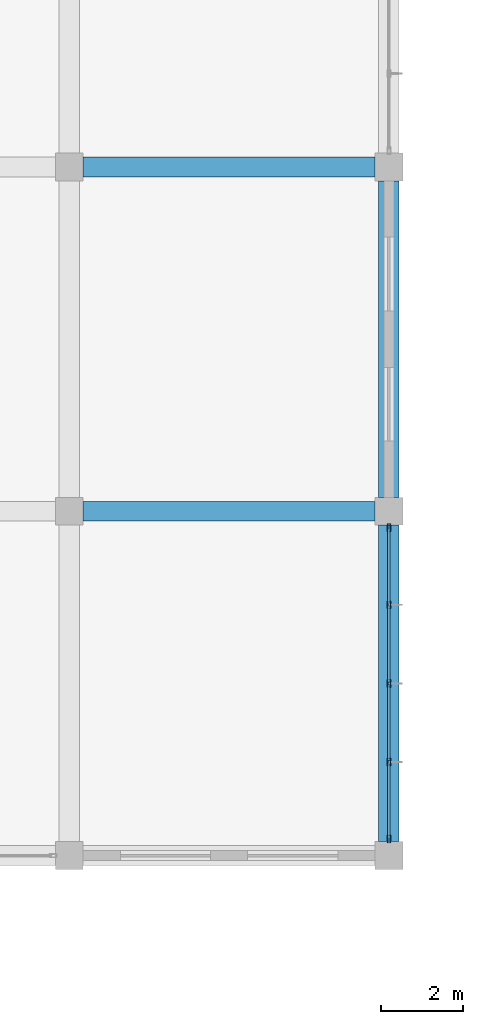
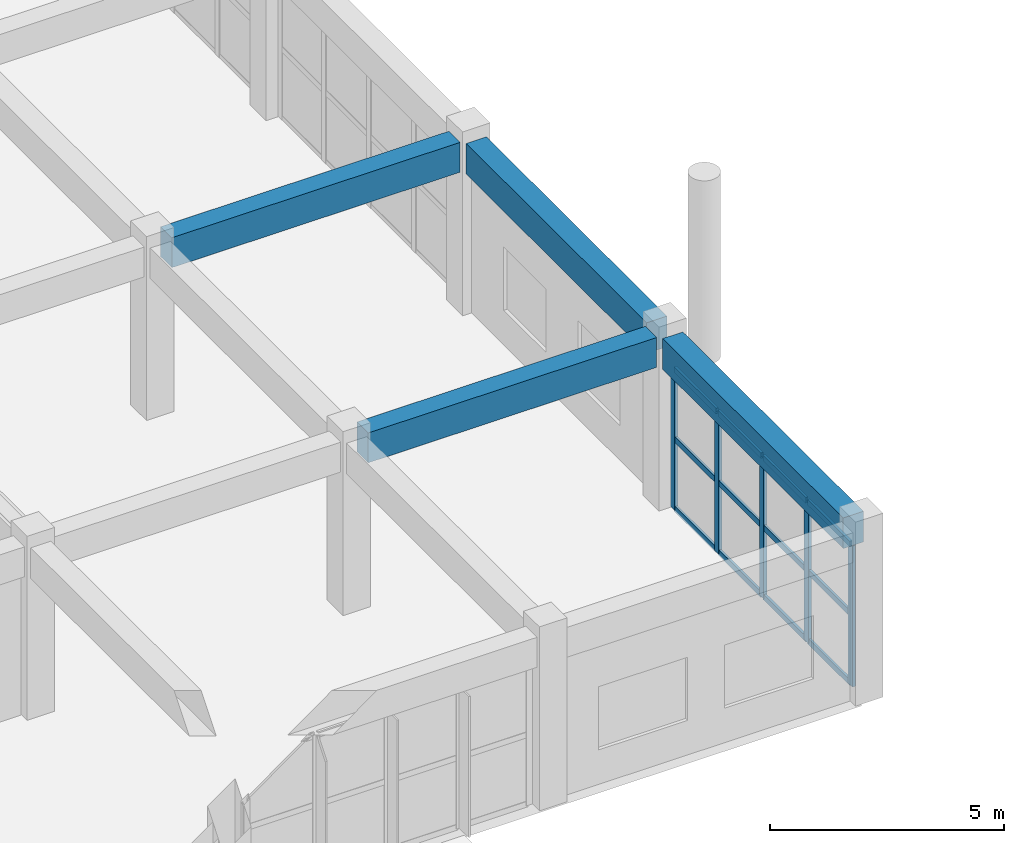
# One storey, part 97 of 175: 17 members, 4 beams, 1 element without a shape of its own.
"""IFC4 building model written with IfcOpenShell, lengths in metres."""

from ifc_helpers import new_model, si_unit, direction, frame, origin, origin_2d, place, context, subcontext, project, spatial, rectangle, hollow_rectangle, extrude, material, layer, layer_set, material_profile, profile_set, type_object, element, aggregate, save


model = new_model("IFC4")

# Units and contexts
model_context = context("Model", 3, precision=1e-05, world=origin(), true_north=direction((0.0, 1.0)))
body_context = subcontext(model_context, "Body", "Model", "MODEL_VIEW")
ifc_project = project(units=[si_unit("LENGTHUNIT", "METRE"), si_unit("AREAUNIT", "SQUARE_METRE"), si_unit("VOLUMEUNIT", "CUBIC_METRE"), si_unit("PLANEANGLEUNIT", "RADIAN"), si_unit("MASSUNIT", "GRAM", prefix="KILO")], contexts=[model_context])

# Site, building, storey
site_placement = place(None, origin())
site = spatial("IfcSite", under=ifc_project, at=site_placement, CompositionType="ELEMENT")
building_placement = place(site_placement, origin())
building = spatial("IfcBuilding", under=site, at=building_placement, Name="Zizhar Promenade General Hospital", CompositionType="ELEMENT")
storey_placement = place(building_placement, frame((0.0, 0.0, 4.800048828125)))
storey = spatial("IfcBuildingStorey", under=building, at=storey_placement, Name="L01", CompositionType="ELEMENT", Elevation=4.800048828125)

# Beams
ifc_material_1 = material(Name="Concrete C35/45", Category="concrete")
ifc_material_profile_1 = material_profile(ifc_material_1, rectangle(XDim=0.47998046875, YDim=0.780029296875, at=origin_2d()))
ifc_profile_set_1 = profile_set([ifc_material_profile_1], Name="Concrete C35/45")
beam_type_1 = type_object("IfcBeamType", Name="BM-RC-480x780", PredefinedType="BEAM", material=ifc_profile_set_1)
for number, where, z_axis, x_axis, name in (
    (1, (187.5400390625, 50.39990234375, 4.079833984375), (1.0, 0.0, 0.0), (0.0, 1.0, 0.0), "Grid Beam X L01 (24-6)"),
    (2, (187.5400390625, 58.800048828125, 4.079833984375), (1.0, 0.0, 0.0), (0.0, 1.0, 0.0), "Grid Beam X L01 (24-7)"),
):
    element("IfcBeam", number, at=place(storey_placement, frame(where, z_axis=z_axis, x_axis=x_axis)), inside=storey, type_object=beam_type_1, Name=name, PredefinedType="BEAM", context=body_context, shape_type="SweptSolid", body=[
        extrude(rectangle(XDim=0.47998046875, YDim=0.780029296875, at=origin_2d()), origin(), (0.0, 0.0, 1.0), 7.119873046875),
    ])
ifc_material_2 = material(Name="Concrete C35/45", Category="concrete")
ifc_material_profile_2 = material_profile(ifc_material_2, rectangle(XDim=0.5, YDim=0.800048828125, at=origin_2d()))
ifc_profile_set_2 = profile_set([ifc_material_profile_2], Name="Concrete C35/45")
beam_type_2 = type_object("IfcBeamType", Name="BM-RC-500x800", PredefinedType="BEAM", material=ifc_profile_set_2)
for number, where, z_axis, x_axis, name in (
    (3, (195.0, 42.340087890625, 4.070068359375), (0.0, 1.0, 0.0), (-1.0, 0.0, 0.0), "Grid Beam Y L01 (25-5)"),
    (4, (195.0, 50.739990234375, 4.070068359375), (0.0, 1.0, 0.0), (-1.0, 0.0, 0.0), "Grid Beam Y L01 (25-6)"),
):
    element("IfcBeam", number, at=place(storey_placement, frame(where, z_axis=z_axis, x_axis=x_axis)), inside=storey, type_object=beam_type_2, Name=name, PredefinedType="BEAM", context=body_context, shape_type="SweptSolid", body=[
        extrude(rectangle(XDim=0.5, YDim=0.800048828125, at=origin_2d()), origin(), (0.0, 0.0, 1.0), 7.719970703125),
    ])

# Curtain wall, members
ifc_material_3 = material(Name="Anodised aluminium 6063-T6 and low-E glass", Category="aluminium")
ifc_layer = layer(ifc_material_3, 0.159912109375)
ifc_layer_set = layer_set([ifc_layer], Name="Anodised aluminium 6063-T6 and low-E glass")
curtain_wall_type = type_object("IfcCurtainWallType", Name="CW-CLN-EXT", PredefinedType="NOTDEFINED", material=ifc_layer_set)
curtain_wall_placement = place(storey_placement, origin())
curtain_wall = element("IfcCurtainWall", 5, at=curtain_wall_placement, inside=storey, type_object=curtain_wall_type, Name="Outpatient East Curtain Wall L01-5", PredefinedType="NOTDEFINED")
ifc_material_4 = material(Name="Anodised aluminium 6063-T6", Category="aluminium")
ifc_material_profile_3 = material_profile(ifc_material_4, hollow_rectangle(XDim=0.080078125, YDim=0.179931640625, WallThickness=0.0048828125, at=origin_2d()))
ifc_profile_set_3 = profile_set([ifc_material_profile_3], Name="Anodised aluminium 6063-T6")
member_type_1 = type_object("IfcMemberType", Name="CWM-ALU-180x80", PredefinedType="MULLION", material=ifc_profile_set_3)
member_1_placement = place(storey_placement, frame((195.0, 50.0, 0.0), z_axis=(0.0, 0.0, 1.0), x_axis=(1.0, 0.0, 0.0)))
member_1 = element("IfcMember", 6, at=member_1_placement, type_object=member_type_1, Name="CW-09 mullion 1", PredefinedType="MULLION", context=body_context, shape_type="SweptSolid", body=[
    extrude(hollow_rectangle(XDim=0.080078125, YDim=0.179931640625, WallThickness=0.0048828125, at=origin_2d()), origin(), (0.0, 0.0, 1.0), 3.679931640625),
])
member_2_placement = place(storey_placement, frame((195.0, 48.1201171875, 0.0), z_axis=(0.0, 0.0, 1.0), x_axis=(1.0, 0.0, 0.0)))
member_2 = element("IfcMember", 7, at=member_2_placement, type_object=member_type_1, Name="CW-09 mullion 2", PredefinedType="MULLION", context=body_context, shape_type="SweptSolid", body=[
    extrude(hollow_rectangle(XDim=0.080078125, YDim=0.179931640625, WallThickness=0.0048828125, at=origin_2d()), origin(), (0.0, 0.0, 1.0), 3.679931640625),
])
member_3_placement = place(storey_placement, frame((195.0, 46.199951171875, 0.0), z_axis=(0.0, 0.0, 1.0), x_axis=(1.0, 0.0, 0.0)))
member_3 = element("IfcMember", 8, at=member_3_placement, type_object=member_type_1, Name="CW-09 mullion 3", PredefinedType="MULLION", context=body_context, shape_type="SweptSolid", body=[
    extrude(hollow_rectangle(XDim=0.080078125, YDim=0.179931640625, WallThickness=0.0048828125, at=origin_2d()), origin(), (0.0, 0.0, 1.0), 3.679931640625),
])
member_4_placement = place(storey_placement, frame((195.0, 44.280029296875, 0.0), z_axis=(0.0, 0.0, 1.0), x_axis=(1.0, 0.0, 0.0)))
member_4 = element("IfcMember", 9, at=member_4_placement, type_object=member_type_1, Name="CW-09 mullion 4", PredefinedType="MULLION", context=body_context, shape_type="SweptSolid", body=[
    extrude(hollow_rectangle(XDim=0.080078125, YDim=0.179931640625, WallThickness=0.0048828125, at=origin_2d()), origin(), (0.0, 0.0, 1.0), 3.679931640625),
])
member_5_placement = place(storey_placement, frame((195.0, 42.39990234375, 0.0), z_axis=(0.0, 0.0, 1.0), x_axis=(1.0, 0.0, 0.0)))
member_5 = element("IfcMember", 10, at=member_5_placement, type_object=member_type_1, Name="CW-09 mullion 5", PredefinedType="MULLION", context=body_context, shape_type="SweptSolid", body=[
    extrude(hollow_rectangle(XDim=0.080078125, YDim=0.179931640625, WallThickness=0.0048828125, at=origin_2d()), origin(), (0.0, 0.0, 1.0), 3.679931640625),
])
ifc_material_5 = material(Name="Anodised aluminium 6063-T6", Category="aluminium")
ifc_material_profile_4 = material_profile(ifc_material_5, hollow_rectangle(XDim=0.06005859375, YDim=0.14990234375, WallThickness=0.00390625, at=origin_2d()))
ifc_profile_set_4 = profile_set([ifc_material_profile_4], Name="Anodised aluminium 6063-T6")
member_type_2 = type_object("IfcMemberType", Name="CWT-ALU-150x60", PredefinedType="USERDEFINED", material=ifc_profile_set_4)
member_6_placement = place(storey_placement, frame((195.0, 49.9599609375, 0.030029296875), z_axis=(0.0, -1.0, 0.0), x_axis=(1.0, 0.0, 0.0)))
member_6 = element("IfcMember", 11, at=member_6_placement, type_object=member_type_2, Name="CW-09 transom 1.1", ObjectType="TRANSOM", PredefinedType="USERDEFINED", context=body_context, shape_type="SweptSolid", body=[
    extrude(hollow_rectangle(XDim=0.06005859375, YDim=0.14990234375, WallThickness=0.00390625, at=origin_2d()), origin(), (0.0, 0.0, 1.0), 1.800048828125),
])
member_7_placement = place(storey_placement, frame((195.0, 49.9599609375, 1.83984375), z_axis=(0.0, -1.0, 0.0), x_axis=(1.0, 0.0, 0.0)))
member_7 = element("IfcMember", 12, at=member_7_placement, type_object=member_type_2, Name="CW-09 transom 1.2", ObjectType="TRANSOM", PredefinedType="USERDEFINED", context=body_context, shape_type="SweptSolid", body=[
    extrude(hollow_rectangle(XDim=0.06005859375, YDim=0.14990234375, WallThickness=0.00390625, at=origin_2d()), origin(), (0.0, 0.0, 1.0), 1.800048828125),
])
member_8_placement = place(storey_placement, frame((195.0, 49.9599609375, 3.64990234375), z_axis=(0.0, -1.0, 0.0), x_axis=(1.0, 0.0, 0.0)))
member_8 = element("IfcMember", 13, at=member_8_placement, type_object=member_type_2, Name="CW-09 transom 1.3", ObjectType="TRANSOM", PredefinedType="USERDEFINED", context=body_context, shape_type="SweptSolid", body=[
    extrude(hollow_rectangle(XDim=0.06005859375, YDim=0.14990234375, WallThickness=0.00390625, at=origin_2d()), origin(), (0.0, 0.0, 1.0), 1.800048828125),
])
member_9_placement = place(storey_placement, frame((195.0, 48.080078125, 0.030029296875), z_axis=(0.0, -1.0, 0.0), x_axis=(1.0, 0.0, 0.0)))
member_9 = element("IfcMember", 14, at=member_9_placement, type_object=member_type_2, Name="CW-09 transom 2.1", ObjectType="TRANSOM", PredefinedType="USERDEFINED", context=body_context, shape_type="SweptSolid", body=[
    extrude(hollow_rectangle(XDim=0.06005859375, YDim=0.14990234375, WallThickness=0.00390625, at=origin_2d()), origin(), (0.0, 0.0, 1.0), 1.840087890625),
])
member_10_placement = place(storey_placement, frame((195.0, 48.080078125, 1.83984375), z_axis=(0.0, -1.0, 0.0), x_axis=(1.0, 0.0, 0.0)))
member_10 = element("IfcMember", 15, at=member_10_placement, type_object=member_type_2, Name="CW-09 transom 2.2", ObjectType="TRANSOM", PredefinedType="USERDEFINED", context=body_context, shape_type="SweptSolid", body=[
    extrude(hollow_rectangle(XDim=0.06005859375, YDim=0.14990234375, WallThickness=0.00390625, at=origin_2d()), origin(), (0.0, 0.0, 1.0), 1.840087890625),
])
member_11_placement = place(storey_placement, frame((195.0, 48.080078125, 3.64990234375), z_axis=(0.0, -1.0, 0.0), x_axis=(1.0, 0.0, 0.0)))
member_11 = element("IfcMember", 16, at=member_11_placement, type_object=member_type_2, Name="CW-09 transom 2.3", ObjectType="TRANSOM", PredefinedType="USERDEFINED", context=body_context, shape_type="SweptSolid", body=[
    extrude(hollow_rectangle(XDim=0.06005859375, YDim=0.14990234375, WallThickness=0.00390625, at=origin_2d()), origin(), (0.0, 0.0, 1.0), 1.840087890625),
])
member_12_placement = place(storey_placement, frame((195.0, 46.159912109375, 0.030029296875), z_axis=(0.0, -1.0, 0.0), x_axis=(1.0, 0.0, 0.0)))
member_12 = element("IfcMember", 17, at=member_12_placement, type_object=member_type_2, Name="CW-09 transom 3.1", ObjectType="TRANSOM", PredefinedType="USERDEFINED", context=body_context, shape_type="SweptSolid", body=[
    extrude(hollow_rectangle(XDim=0.06005859375, YDim=0.14990234375, WallThickness=0.00390625, at=origin_2d()), origin(), (0.0, 0.0, 1.0), 1.83984375),
])
member_13_placement = place(storey_placement, frame((195.0, 46.159912109375, 1.83984375), z_axis=(0.0, -1.0, 0.0), x_axis=(1.0, 0.0, 0.0)))
member_13 = element("IfcMember", 18, at=member_13_placement, type_object=member_type_2, Name="CW-09 transom 3.2", ObjectType="TRANSOM", PredefinedType="USERDEFINED", context=body_context, shape_type="SweptSolid", body=[
    extrude(hollow_rectangle(XDim=0.06005859375, YDim=0.14990234375, WallThickness=0.00390625, at=origin_2d()), origin(), (0.0, 0.0, 1.0), 1.83984375),
])
member_14_placement = place(storey_placement, frame((195.0, 46.159912109375, 3.64990234375), z_axis=(0.0, -1.0, 0.0), x_axis=(1.0, 0.0, 0.0)))
member_14 = element("IfcMember", 19, at=member_14_placement, type_object=member_type_2, Name="CW-09 transom 3.3", ObjectType="TRANSOM", PredefinedType="USERDEFINED", context=body_context, shape_type="SweptSolid", body=[
    extrude(hollow_rectangle(XDim=0.06005859375, YDim=0.14990234375, WallThickness=0.00390625, at=origin_2d()), origin(), (0.0, 0.0, 1.0), 1.83984375),
])
member_15_placement = place(storey_placement, frame((195.0, 44.239990234375, 0.030029296875), z_axis=(0.0, -1.0, 0.0), x_axis=(1.0, 0.0, 0.0)))
member_15 = element("IfcMember", 20, at=member_15_placement, type_object=member_type_2, Name="CW-09 transom 4.1", ObjectType="TRANSOM", PredefinedType="USERDEFINED", context=body_context, shape_type="SweptSolid", body=[
    extrude(hollow_rectangle(XDim=0.06005859375, YDim=0.14990234375, WallThickness=0.00390625, at=origin_2d()), origin(), (0.0, 0.0, 1.0), 1.800048828125),
])
member_16_placement = place(storey_placement, frame((195.0, 44.239990234375, 1.83984375), z_axis=(0.0, -1.0, 0.0), x_axis=(1.0, 0.0, 0.0)))
member_16 = element("IfcMember", 21, at=member_16_placement, type_object=member_type_2, Name="CW-09 transom 4.2", ObjectType="TRANSOM", PredefinedType="USERDEFINED", context=body_context, shape_type="SweptSolid", body=[
    extrude(hollow_rectangle(XDim=0.06005859375, YDim=0.14990234375, WallThickness=0.00390625, at=origin_2d()), origin(), (0.0, 0.0, 1.0), 1.800048828125),
])
member_17_placement = place(storey_placement, frame((195.0, 44.239990234375, 3.64990234375), z_axis=(0.0, -1.0, 0.0), x_axis=(1.0, 0.0, 0.0)))
member_17 = element("IfcMember", 22, at=member_17_placement, type_object=member_type_2, Name="CW-09 transom 4.3", ObjectType="TRANSOM", PredefinedType="USERDEFINED", context=body_context, shape_type="SweptSolid", body=[
    extrude(hollow_rectangle(XDim=0.06005859375, YDim=0.14990234375, WallThickness=0.00390625, at=origin_2d()), origin(), (0.0, 0.0, 1.0), 1.800048828125),
])
aggregate(curtain_wall, [member_1, member_2, member_3, member_4, member_5, member_6, member_7, member_8, member_9, member_10, member_11, member_12, member_13, member_14, member_15, member_16, member_17])

save(model, "model.ifc")
